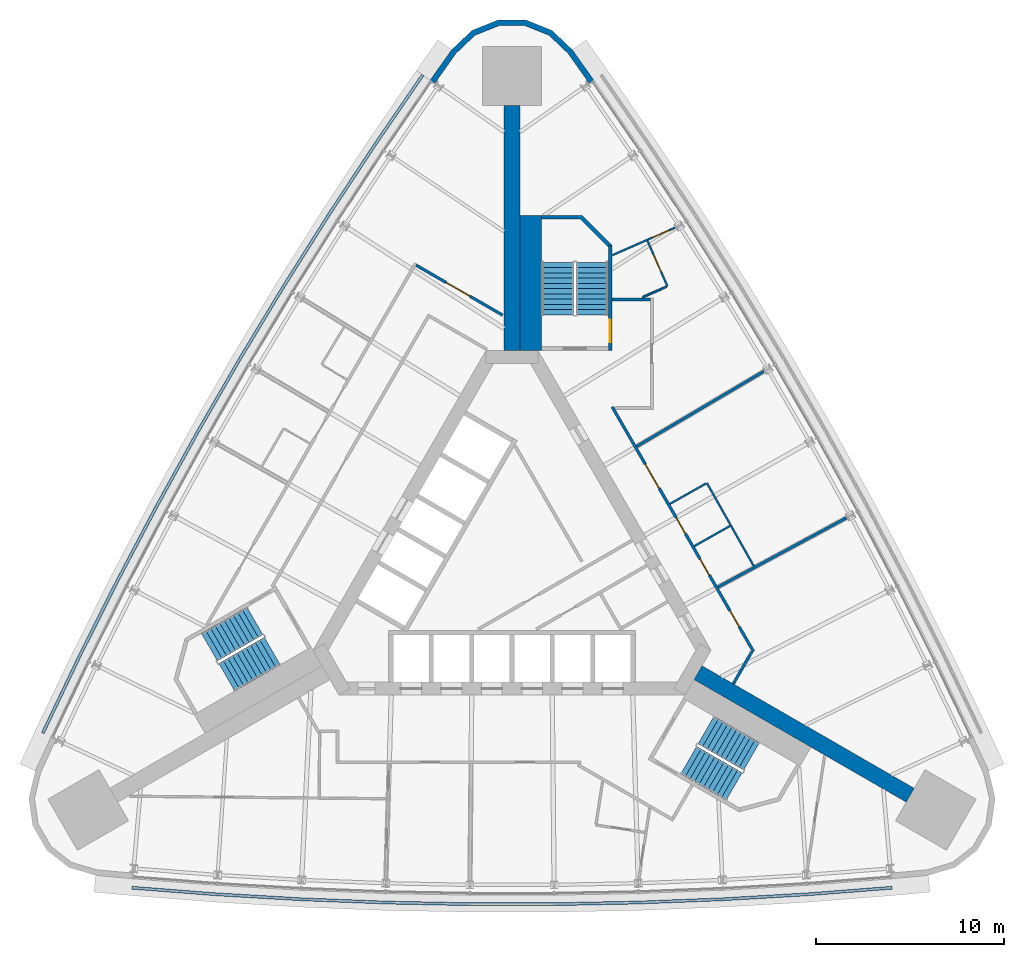
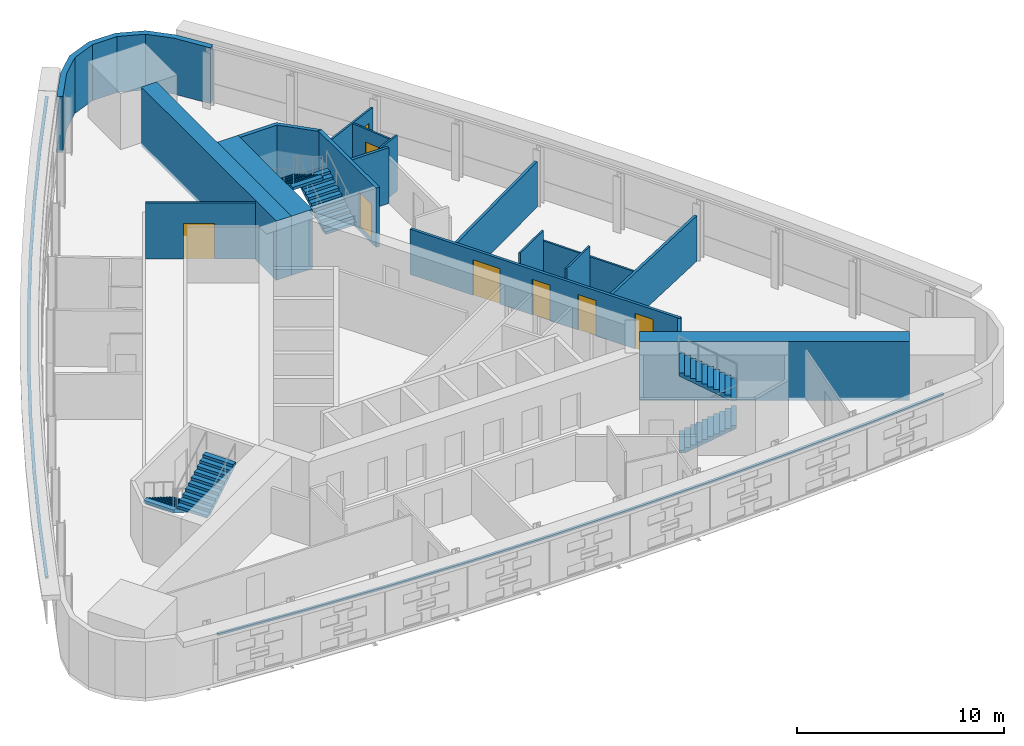
# One storey, part 10 of 13: 18 walls, 8 doors, 6 stair flights, 2 discrete accessories, 8 openings, 3 elements without a shape of their own.
"""IFC4 building model written with IfcOpenShell, lengths in metres."""

import ifcopenshell
import ifcopenshell.guid

model = None  # the IFC model being written
_history = None  # IfcOwnerHistory: only IFC2X3 demands one
_inside = {}  # id of a spatial element -> (the spatial element, [elements in it])
_under = {}  # id of a project, library or spatial element -> (it, [spatial elements below it])
_declared = {}  # id of a project -> (the project, [libraries it declares])
_typed = {}  # id of a type object -> (the type object, [elements of that type])
_made_of = {}  # id of a material, layer set ... -> (it, [elements and type objects made of it])


def new_model(schema):
    """Start an empty IFC model of exactly this schema.

    Asked for "IFC4X3", IfcOpenShell would pick the latest addendum, in which some entities
    have other attributes; the version numbers below select the first issue.
    IFC2X3 requires an IfcOwnerHistory on every rooted entity: one is made here for all.
    """
    global model, _history
    if schema == "IFC4X3":
        model = ifcopenshell.file(schema_version=(4, 3, 0, 0))
    else:
        model = ifcopenshell.file(schema=schema)
    _inside.clear()
    _under.clear()
    _declared.clear()
    _typed.clear()
    _made_of.clear()
    _history = None
    if model.schema == "IFC2X3":
        org = make("IfcOrganization", Name="unknown")
        user = make(
            "IfcPersonAndOrganization",
            ThePerson=make("IfcPerson", FamilyName="unknown"),
            TheOrganization=org,
        )
        app = make(
            "IfcApplication",
            ApplicationDeveloper=org,
            Version="unknown",
            ApplicationFullName="unknown",
            ApplicationIdentifier="unknown",
        )
        _history = make(
            "IfcOwnerHistory",
            OwningUser=user,
            OwningApplication=app,
            ChangeAction="ADDED",
            CreationDate=0,
        )
    return model


def make(cls, **values):
    """One entity of the class cls with the attributes given. An attribute that is None is left unset."""
    return model.create_entity(
        cls, **{name: value for name, value in values.items() if value is not None}
    )


def rooted(cls, **values):
    """An entity with a GlobalId (a new one), such as an element, a storey or a relation."""
    return make(cls, GlobalId=ifcopenshell.guid.new(), OwnerHistory=_history, **values)


def si_unit(unit_type, name, prefix=None):
    """IfcSIUnit, for example si_unit("LENGTHUNIT", "METRE", prefix="MILLI")."""
    return make("IfcSIUnit", UnitType=unit_type, Prefix=prefix, Name=name)


def assignment(units):
    """IfcUnitAssignment: the units of a project."""
    return None if units is None else make("IfcUnitAssignment", Units=units)


def point(xyz):
    """IfcCartesianPoint."""
    return None if xyz is None else make("IfcCartesianPoint", Coordinates=xyz)


def direction(xyz):
    """IfcDirection."""
    return None if xyz is None else make("IfcDirection", DirectionRatios=xyz)


def frame(location, z_axis=None, x_axis=None):
    """IfcAxis2Placement3D, a coordinate frame: its origin and axes. An axis left out is left unset."""
    return make(
        "IfcAxis2Placement3D",
        Location=point(location),
        Axis=direction(z_axis),
        RefDirection=direction(x_axis),
    )


def frame_2d(location, x_axis=None):
    """IfcAxis2Placement2D, a coordinate frame in the plane: its origin and x axis."""
    return make(
        "IfcAxis2Placement2D", Location=point(location), RefDirection=direction(x_axis)
    )


def origin():
    """The frame at (0, 0, 0) with its axes left unset."""
    return frame((0.0, 0.0, 0.0))


def place(relative_to, where):
    """IfcLocalPlacement: puts the frame where relative to a parent placement (None: the world)."""
    return make(
        "IfcLocalPlacement", PlacementRelTo=relative_to, RelativePlacement=where
    )


def context(
    kind, dimensions, precision=None, world=None, true_north=None, identifier=None
):
    """IfcGeometricRepresentationContext, for example the 3D "Model" context."""
    return make(
        "IfcGeometricRepresentationContext",
        ContextIdentifier=identifier,
        ContextType=kind,
        CoordinateSpaceDimension=dimensions,
        Precision=precision,
        WorldCoordinateSystem=world,
        TrueNorth=true_north,
    )


def subcontext(parent, identifier, kind, view, scale=None):
    """IfcGeometricRepresentationSubContext, for example "Body" below "Model"."""
    return make(
        "IfcGeometricRepresentationSubContext",
        ContextIdentifier=identifier,
        ContextType=kind,
        ParentContext=parent,
        TargetScale=scale,
        TargetView=view,
    )


def project(units=None, contexts=None):
    """IfcProject with its units and contexts."""
    return rooted(
        "IfcProject",
        Name="project",
        RepresentationContexts=contexts,
        UnitsInContext=assignment(units),
    )


def spatial(cls, under=None, at=None, **own):
    """A site, building, storey or space (cls), placed at a placement, below another one or the project."""
    s = rooted(cls, ObjectPlacement=at, **own)
    if under is not None:
        _under.setdefault(under.id(), (under, []))[1].append(s)
    return s


def polyline(points):
    """IfcPolyline through the points."""
    return make("IfcPolyline", Points=[point(p) for p in points])


def profile(cls, at=None, kind="AREA", **sizes):
    """A parametric profile (cls). Its sizes go by their IFC names, for example OverallWidth=200.0."""
    return make(cls, ProfileType=kind, Position=at, **sizes)


def rectangle(**sizes):
    """IfcRectangleProfileDef."""
    return profile("IfcRectangleProfileDef", **sizes)


def outline(outer, holes=None, kind="AREA"):
    """IfcArbitraryClosedProfileDef: a profile drawn as a closed curve; with holes, ...WithVoids."""
    if holes is None:
        return make("IfcArbitraryClosedProfileDef", ProfileType=kind, OuterCurve=outer)
    return make(
        "IfcArbitraryProfileDefWithVoids",
        ProfileType=kind,
        OuterCurve=outer,
        InnerCurves=holes,
    )


def extrude(swept, where, along, depth):
    """IfcExtrudedAreaSolid: the profile swept, set in the frame where, extruded along a direction by depth."""
    return make(
        "IfcExtrudedAreaSolid",
        SweptArea=swept,
        Position=where,
        ExtrudedDirection=direction(along),
        Depth=depth,
    )


def shape(context_of_items, identifier, shape_type, items):
    """IfcShapeRepresentation: the items that make up one representation, for example the "Body"."""
    return make(
        "IfcShapeRepresentation",
        ContextOfItems=context_of_items,
        RepresentationIdentifier=identifier,
        RepresentationType=shape_type,
        Items=items,
    )


def material(Name=None, Category=None):
    """IfcMaterial."""
    return make("IfcMaterial", Name=Name, Category=Category)


def layer(
    of_material, thickness, ventilated=None, Name=None, Category=None, Priority=None
):
    """IfcMaterialLayer: one layer of a wall or slab, of a material (None: an air gap)."""
    return make(
        "IfcMaterialLayer",
        Material=of_material,
        LayerThickness=thickness,
        IsVentilated=ventilated,
        Name=Name,
        Category=Category,
        Priority=Priority,
    )


def layer_set(layers, Name=None):
    """IfcMaterialLayerSet."""
    return make("IfcMaterialLayerSet", MaterialLayers=layers, LayerSetName=Name)


def made_of(thing, what):
    """Note that an element or type object is made of a material, layer set ...; save() writes the relation."""
    if what is not None:
        _made_of.setdefault(what.id(), (what, []))[1].append(thing)
    return thing


def type_object(cls, material=None, **own):
    """A type object (cls), such as IfcWallType, which elements share."""
    return made_of(rooted(cls, **own), material)


def element(
    cls,
    number,
    at=None,
    inside=None,
    cuts=None,
    type_object=None,
    material=None,
    context=None,
    identifier="Body",
    shape_type=None,
    held_by="IfcProductDefinitionShape",
    body=None,
    shapes=None,
    **own,
):
    """One element of the class cls, such as IfcWall. Its Tag is "e" and its number.

    at: its placement. inside: the storey or other place that contains it. cuts: it is an
    opening in that element (IfcRelVoidsElement). A single representation is given by context,
    identifier, shape_type and body (its items); several are given by shapes. held_by: the class
    of the entity that holds the representations. save() writes the other relations.
    """
    e = rooted(cls, Tag="e%d" % number, ObjectPlacement=at, **own)
    if body is not None:
        shapes = [shape(context, identifier, shape_type, body)]
    if shapes is not None:
        e.Representation = make(held_by, Representations=shapes)
    if inside is not None:
        _inside.setdefault(inside.id(), (inside, []))[1].append(e)
    if cuts is not None:
        rooted(
            "IfcRelVoidsElement", RelatingBuildingElement=cuts, RelatedOpeningElement=e
        )
    if type_object is not None:
        _typed.setdefault(type_object.id(), (type_object, []))[1].append(e)
    return made_of(e, material)


def fill(opening, filler):
    """IfcRelFillsElement: the door or window that sits in an opening."""
    return rooted(
        "IfcRelFillsElement",
        RelatingOpeningElement=opening,
        RelatedBuildingElement=filler,
    )


def aggregate(whole, parts):
    """IfcRelAggregates: a whole, such as a stair, and the parts it consists of."""
    return rooted("IfcRelAggregates", RelatingObject=whole, RelatedObjects=parts)


def save(model, path):
    """Write the relations noted so far, then the file.

    IfcRelAggregates (storeys below a building ...), IfcRelContainedInSpatialStructure (elements
    in a storey), IfcRelDefinesByType, IfcRelAssociatesMaterial and IfcRelDeclares: one each for
    every whole, place, type object, material and project.
    """
    for whole, parts in _under.values():
        aggregate(whole, parts)
    for where, things in _inside.values():
        rooted(
            "IfcRelContainedInSpatialStructure",
            RelatedElements=things,
            RelatingStructure=where,
        )
    for kind, things in _typed.values():
        rooted("IfcRelDefinesByType", RelatedObjects=things, RelatingType=kind)
    for what, things in _made_of.values():
        rooted("IfcRelAssociatesMaterial", RelatedObjects=things, RelatingMaterial=what)
    for by, libraries in _declared.values():
        rooted("IfcRelDeclares", RelatingContext=by, RelatedDefinitions=libraries)
    model.write(path)


model = new_model("IFC4")

# Units and contexts
model_context = context("Model", 3, precision=1e-05, world=origin(), true_north=direction((0.0, 1.0)))
body_context = subcontext(model_context, "Body", "Model", "MODEL_VIEW")
ifc_project = project(units=[si_unit("LENGTHUNIT", "METRE"), si_unit("AREAUNIT", "SQUARE_METRE"), si_unit("VOLUMEUNIT", "CUBIC_METRE"), si_unit("PLANEANGLEUNIT", "RADIAN"), si_unit("MASSUNIT", "GRAM", prefix="KILO")], contexts=[model_context])

# Site, building, storey
site_placement = place(None, origin())
site = spatial("IfcSite", under=ifc_project, at=site_placement, CompositionType="ELEMENT")
building_placement = place(site_placement, origin())
building = spatial("IfcBuilding", under=site, at=building_placement, Name="Noor Cloister Tower", CompositionType="ELEMENT")
storey_placement = place(building_placement, frame((0.0, 0.0, 83.39990234375)))
storey = spatial("IfcBuildingStorey", under=building, at=storey_placement, Name="L21", CompositionType="ELEMENT", Elevation=83.39990234375)

# Walls
ifc_material_1 = material(Name="Concrete C80/95", Category="concrete")
ifc_layer_1 = layer(ifc_material_1, 0.85009765625)
ifc_layer_set_1 = layer_set([ifc_layer_1], Name="Buttress wall 850 C80/95")
wall_type_1 = type_object("IfcWallType", Name="Buttress wall 850 C80/95", PredefinedType="SHEAR", material=ifc_layer_set_1)
wall_1_placement = place(storey_placement, frame((0.0, 11.456298828125, -0.199951171875), z_axis=(0.0, 0.0, 1.0), x_axis=(0.0, 1.0, 0.0)))
element("IfcWall", 1, at=wall_1_placement, inside=storey, type_object=wall_type_1, Name="Buttress wall N L21", PredefinedType="SHEAR", context=body_context, shape_type="SweptSolid", body=[
    extrude(rectangle(XDim=13.064697265625, YDim=0.85009765625, at=frame_2d((6.5322265625, 0.0))), origin(), (0.0, 0.0, 1.0), 3.5),
])
wall_2_placement = place(storey_placement, frame((9.921630859375, -5.728271484375, -0.199951171875), z_axis=(0.0, 0.0, 1.0), x_axis=(0.866026565165, -0.499997988424, 0.0)))
element("IfcWall", 2, at=wall_2_placement, inside=storey, type_object=wall_type_1, Name="Buttress wall SE L21", PredefinedType="SHEAR", context=body_context, shape_type="SweptSolid", body=[
    extrude(rectangle(XDim=13.064453125, YDim=0.85009765625, at=frame_2d((6.5322265625, 0.0))), origin(), (0.0, 0.0, 1.0), 3.5),
])

# Wall, openings, doors
ifc_material_2 = material(Name="Gypsum board partition on steel studs, 150 mm", Category="steel")
ifc_layer_2 = layer(ifc_material_2, 0.14990234375)
ifc_layer_set_2 = layer_set([ifc_layer_2], Name="Flat wall 150")
wall_type_2 = type_object("IfcWallType", Name="Flat wall 150", PredefinedType="PARTITIONING", material=ifc_layer_set_2)
wall_3_placement = place(storey_placement, frame((5.34619140625, 8.4462890625, 0.0), z_axis=(0.0, 0.0, 1.0), x_axis=(0.500008781656, -0.866020333634, 0.0)))
wall_3 = element("IfcWall", 3, at=wall_3_placement, inside=storey, type_object=wall_type_2, Name="Flat wall 150 L21 003", PredefinedType="PARTITIONING", context=body_context, shape_type="SweptSolid", body=[
    extrude(rectangle(XDim=15.056884765625, YDim=0.14990234375, at=frame_2d((7.5283203125, 0.0))), origin(), (0.0, 0.0, 1.0), 2.677978515625),
])
opening_1_placement = place(wall_3_placement, frame((12.551513671875, 0.0, 0.0)))
opening_1 = element("IfcOpeningElement", 4, at=opening_1_placement, cuts=wall_3, Name="Opening L21-005", PredefinedType="OPENING", context=body_context, shape_type="SweptSolid", body=[
    extrude(rectangle(XDim=1.0, YDim=2.10009765625, at=frame_2d((0.5, 1.050048828125))), frame((0.0, 0.0849609375, 0.0), z_axis=(0.0, -1.0, 0.0), x_axis=(1.0, 0.0, 0.0)), (0.0, 0.0, 1.0), 0.169921875),
])
opening_2_placement = place(wall_3_placement, frame((9.365478515625, 0.0, 0.0)))
opening_2 = element("IfcOpeningElement", 5, at=opening_2_placement, cuts=wall_3, Name="Opening L21-006", PredefinedType="OPENING", context=body_context, shape_type="SweptSolid", body=[
    extrude(rectangle(XDim=1.0, YDim=2.10009765625, at=frame_2d((0.5, 1.050048828125))), frame((0.0, 0.0849609375, 0.0), z_axis=(0.0, -1.0, 0.0), x_axis=(1.0, 0.0, 0.0)), (0.0, 0.0, 1.0), 0.169921875),
])
opening_3_placement = place(wall_3_placement, frame((6.81640625, 0.0, 0.0)))
opening_3 = element("IfcOpeningElement", 6, at=opening_3_placement, cuts=wall_3, Name="Opening L21-007", PredefinedType="OPENING", context=body_context, shape_type="SweptSolid", body=[
    extrude(rectangle(XDim=1.0, YDim=2.10009765625, at=frame_2d((0.5, 1.050048828125))), frame((0.0, 0.0849609375, 0.0), z_axis=(0.0, -1.0, 0.0), x_axis=(1.0, 0.0, 0.0)), (0.0, 0.0, 1.0), 0.169921875),
])
opening_4_placement = place(wall_3_placement, frame((3.5087890625, 0.0, 0.0)))
opening_4 = element("IfcOpeningElement", 7, at=opening_4_placement, cuts=wall_3, Name="Opening L21-008", PredefinedType="OPENING", context=body_context, shape_type="SweptSolid", body=[
    extrude(rectangle(XDim=1.5, YDim=2.10009765625, at=frame_2d((0.75, 1.050048828125))), frame((0.0, 0.0849609375, 0.0), z_axis=(0.0, -1.0, 0.0), x_axis=(1.0, 0.0, 0.0)), (0.0, 0.0, 1.0), 0.169921875),
])
ifc_material_3 = material(Name="Timber door leaf with steel frame", Category="steel")
door_type_1 = type_object("IfcDoorType", Name="Accessible WC door 1000", OperationType="NOTDEFINED", PredefinedType="DOOR", material=ifc_material_3)
door_1_placement = place(opening_2_placement, origin())
door_1 = element("IfcDoor", 8, at=door_1_placement, inside=storey, type_object=door_type_1, Name="Accessible WC door 1000 L21-006", OperationType="SINGLE_SWING_RIGHT", OverallHeight=2.10009765625, OverallWidth=1.0, PredefinedType="DOOR", context=body_context, shape_type="SweptSolid", body=[
    extrude(rectangle(XDim=1.0, YDim=2.10009765625, at=frame_2d((0.5, 1.050048828125))), frame((0.0, 0.02490234375, 0.0), z_axis=(0.0, -1.0, 0.0), x_axis=(1.0, 0.0, 0.0)), (0.0, 0.0, 1.0), 0.050048828125),
])
fill(opening_2, door_1)
ifc_material_4 = material(Name="Timber door leaf with steel frame", Category="steel")
door_type_2 = type_object("IfcDoorType", Name="Double door 1500 FD60", OperationType="NOTDEFINED", PredefinedType="DOOR", material=ifc_material_4)
door_2_placement = place(opening_4_placement, origin())
door_2 = element("IfcDoor", 9, at=door_2_placement, inside=storey, type_object=door_type_2, Name="Double door 1500 L21-008", OperationType="DOUBLE_DOOR_SINGLE_SWING", OverallHeight=2.10009765625, OverallWidth=1.5, PredefinedType="DOOR", context=body_context, shape_type="SweptSolid", body=[
    extrude(rectangle(XDim=1.5, YDim=2.10009765625, at=frame_2d((0.75, 1.050048828125))), frame((0.0, 0.02490234375, 0.0), z_axis=(0.0, -1.0, 0.0), x_axis=(1.0, 0.0, 0.0)), (0.0, 0.0, 1.0), 0.050048828125),
])
fill(opening_4, door_2)
ifc_material_5 = material(Name="Timber door leaf with steel frame", Category="steel")
door_type_3 = type_object("IfcDoorType", Name="Interior door 1000 FD60", OperationType="NOTDEFINED", PredefinedType="DOOR", material=ifc_material_5)
door_3_placement = place(opening_1_placement, origin())
door_3 = element("IfcDoor", 10, at=door_3_placement, inside=storey, type_object=door_type_3, Name="Interior door 1000 L21-005", OperationType="SINGLE_SWING_RIGHT", OverallHeight=2.10009765625, OverallWidth=1.0, PredefinedType="DOOR", context=body_context, shape_type="SweptSolid", body=[
    extrude(rectangle(XDim=1.0, YDim=2.10009765625, at=frame_2d((0.5, 1.050048828125))), frame((0.0, 0.02490234375, 0.0), z_axis=(0.0, -1.0, 0.0), x_axis=(1.0, 0.0, 0.0)), (0.0, 0.0, 1.0), 0.050048828125),
])
fill(opening_1, door_3)
door_4_placement = place(opening_3_placement, origin())
door_4 = element("IfcDoor", 11, at=door_4_placement, inside=storey, type_object=door_type_3, Name="Interior door 1000 L21-007", OperationType="SINGLE_SWING_LEFT", OverallHeight=2.10009765625, OverallWidth=1.0, PredefinedType="DOOR", context=body_context, shape_type="SweptSolid", body=[
    extrude(rectangle(XDim=1.0, YDim=2.10009765625, at=frame_2d((0.5, 1.050048828125))), frame((0.0, 0.02490234375, 0.0), z_axis=(0.0, -1.0, 0.0), x_axis=(1.0, 0.0, 0.0)), (0.0, 0.0, 1.0), 0.050048828125),
])
fill(opening_3, door_4)

# Wall, opening, door
wall_4_placement = place(storey_placement, frame((-5.111328125, 16.00341796875, 0.0), z_axis=(0.0, 0.0, 1.0), x_axis=(0.866034245675, -0.499984685083, 0.0)))
wall_4 = element("IfcWall", 12, at=wall_4_placement, inside=storey, type_object=wall_type_2, Name="Flat wall 150 L21 007", PredefinedType="PARTITIONING", context=body_context, shape_type="SweptSolid", body=[
    extrude(rectangle(XDim=5.319091796875, YDim=0.14990234375, at=frame_2d((2.65966796875, 0.0))), origin(), (0.0, 0.0, 1.0), 3.300048828125),
])
opening_5_placement = place(wall_4_placement, frame((1.83447265625, 0.0, 0.0)))
opening_5 = element("IfcOpeningElement", 13, at=opening_5_placement, cuts=wall_4, Name="Opening L21-012", PredefinedType="OPENING", context=body_context, shape_type="SweptSolid", body=[
    extrude(rectangle(XDim=1.5, YDim=2.10009765625, at=frame_2d((0.75, 1.050048828125))), frame((0.0, 0.0849609375, 0.0), z_axis=(0.0, -1.0, 0.0), x_axis=(1.0, 0.0, 0.0)), (0.0, 0.0, 1.0), 0.169921875),
])
door_5_placement = place(opening_5_placement, origin())
door_5 = element("IfcDoor", 14, at=door_5_placement, inside=storey, type_object=door_type_2, Name="Double door 1500 L21-012", OperationType="DOUBLE_DOOR_SINGLE_SWING", OverallHeight=2.10009765625, OverallWidth=1.5, PredefinedType="DOOR", context=body_context, shape_type="SweptSolid", body=[
    extrude(rectangle(XDim=1.5, YDim=2.10009765625, at=frame_2d((0.75, 1.050048828125))), frame((0.0, 0.02490234375, 0.0), z_axis=(0.0, -1.0, 0.0), x_axis=(1.0, 0.0, 0.0)), (0.0, 0.0, 1.0), 0.050048828125),
])
fill(opening_5, door_5)

# Walls
wall_5_placement = place(storey_placement, frame((5.335693359375, 14.181396484375, 0.0), z_axis=(0.0, 0.0, 1.0), x_axis=(1.0, 0.0, 0.0)))
element("IfcWall", 15, at=wall_5_placement, inside=storey, type_object=wall_type_2, Name="Flat wall 150 L21 009", PredefinedType="PARTITIONING", context=body_context, shape_type="SweptSolid", body=[
    extrude(rectangle(XDim=2.0498046875, YDim=0.14990234375, at=frame_2d((1.02490234375, 0.0))), origin(), (0.0, 0.0, 1.0), 3.300048828125),
])
wall_6_placement = place(storey_placement, frame((11.801025390625, -6.322509765625, 0.0), z_axis=(0.0, 0.0, 1.0), x_axis=(0.500058665202, 0.865991530765, 0.0)))
element("IfcWall", 16, at=wall_6_placement, inside=storey, type_object=wall_type_2, Name="Flat wall 150 L21 011", PredefinedType="PARTITIONING", context=body_context, shape_type="SweptSolid", body=[
    extrude(rectangle(XDim=1.969482421875, YDim=0.14990234375, at=frame_2d((0.98486328125, 0.0))), origin(), (0.0, 0.0, 1.0), 2.677978515625),
])
wall_7_placement = place(storey_placement, frame((13.421142578125, 10.337646484375, 0.0), z_axis=(0.0, 0.0, 1.0), x_axis=(-0.861114991514, -0.508410239266, 0.0)))
element("IfcWall", 17, at=wall_7_placement, inside=storey, type_object=wall_type_2, Name="Flat wall 150 L21 016", PredefinedType="PARTITIONING", context=body_context, shape_type="SweptSolid", body=[
    extrude(rectangle(XDim=7.86328125, YDim=0.14990234375, at=frame_2d((3.931640625, 0.0))), origin(), (0.0, 0.0, 1.0), 2.677978515625),
])
wall_8_placement = place(storey_placement, frame((17.829345703125, 2.527587890625, 0.0), z_axis=(0.0, 0.0, 1.0), x_axis=(-0.880268417521, -0.474476040612, 0.0)))
element("IfcWall", 18, at=wall_8_placement, inside=storey, type_object=wall_type_2, Name="Flat wall 150 L21 017", PredefinedType="PARTITIONING", context=body_context, shape_type="SweptSolid", body=[
    extrude(rectangle(XDim=7.77734375, YDim=0.14990234375, at=frame_2d((3.888671875, 0.0))), origin(), (0.0, 0.0, 1.0), 2.677978515625),
])
ifc_material_6 = material(Name="Limestone", Category="masonry")
ifc_layer_3 = layer(ifc_material_6, 0.300048828125)
ifc_layer_set_3 = layer_set([ifc_layer_3], Name="Limestone cladding 300")
wall_type_3 = type_object("IfcWallType", Name="Limestone cladding 300", PredefinedType="NOTDEFINED", material=ifc_layer_set_3)
wall_9_placement = place(storey_placement, origin())
element("IfcWall", 19, at=wall_9_placement, inside=storey, type_object=wall_type_3, Name="Limestone pier cladding L21 3.1", PredefinedType="NOTDEFINED", context=body_context, shape_type="SweptSolid", body=[
    extrude(outline(polyline([(4.3642578125, 25.87255859375), (3.216796875, 27.4951171875), (2.134521484375, 28.525390625), (0.7470703125, 29.080078125), (-0.7470703125, 29.080078125), (-2.134521484375, 28.525390625), (-3.216796875, 27.4951171875), (-4.3642578125, 25.87255859375), (-4.119384765625, 25.69921875), (-2.98876953125, 27.2978515625), (-1.969482421875, 28.26806640625), (-0.689453125, 28.780029296875), (0.689453125, 28.780029296875), (1.969482421875, 28.26806640625), (2.98876953125, 27.2978515625), (4.119384765625, 25.69921875), (4.3642578125, 25.87255859375)])), origin(), (0.0, 0.0, 1.0), 3.300048828125),
])
ifc_material_7 = material(Name="Gypsum board partition on steel studs, 100 mm", Category="steel")
ifc_layer_4 = layer(ifc_material_7, 0.10009765625)
ifc_layer_set_4 = layer_set([ifc_layer_4], Name="Partition 100")
wall_type_4 = type_object("IfcWallType", Name="Partition 100", PredefinedType="PARTITIONING", material=ifc_layer_set_4)
wall_10_placement = place(storey_placement, frame((12.895263671875, -0.045654296875, 0.0), z_axis=(0.0, 0.0, 1.0), x_axis=(-0.491519870282, 0.870866360079, 0.0)))
element("IfcWall", 20, at=wall_10_placement, inside=storey, type_object=wall_type_4, Name="Partition 100 L21 025", PredefinedType="PARTITIONING", context=body_context, shape_type="SweptSolid", body=[
    extrude(rectangle(XDim=5.0908203125, YDim=0.10009765625, at=frame_2d((2.54541015625, 0.0))), origin(), (0.0, 0.0, 1.0), 2.677978515625),
])

# Wall, opening, door
wall_11_placement = place(storey_placement, frame((5.355712890625, 16.540283203125, 0.0), z_axis=(0.0, 0.0, 1.0), x_axis=(0.915687364234, 0.401891342258, 0.0)))
wall_11 = element("IfcWall", 21, at=wall_11_placement, inside=storey, type_object=wall_type_4, Name="Partition 100 L21 027", PredefinedType="PARTITIONING", context=body_context, shape_type="SweptSolid", body=[
    extrude(rectangle(XDim=3.64111328125, YDim=0.10009765625, at=frame_2d((1.820556640625, 0.0))), origin(), (0.0, 0.0, 1.0), 2.8740234375),
])
opening_6_placement = place(wall_11_placement, frame((2.323974609375, 0.0, 0.0)))
opening_6 = element("IfcOpeningElement", 22, at=opening_6_placement, cuts=wall_11, Name="Opening L21-018", PredefinedType="OPENING", context=body_context, shape_type="SweptSolid", body=[
    extrude(rectangle(XDim=1.0, YDim=2.10009765625, at=frame_2d((0.5, 1.050048828125))), frame((0.0, 0.06005859375, 0.0), z_axis=(0.0, -1.0, 0.0), x_axis=(1.0, 0.0, 0.0)), (0.0, 0.0, 1.0), 0.1201171875),
])
ifc_material_8 = material(Name="Timber door leaf with steel frame", Category="steel")
door_type_4 = type_object("IfcDoorType", Name="Interior door 1000", OperationType="NOTDEFINED", PredefinedType="DOOR", material=ifc_material_8)
door_6_placement = place(opening_6_placement, origin())
door_6 = element("IfcDoor", 23, at=door_6_placement, inside=storey, type_object=door_type_4, Name="Interior door 1000 L21-018", OperationType="SINGLE_SWING_RIGHT", OverallHeight=2.10009765625, OverallWidth=1.0, PredefinedType="DOOR", context=body_context, shape_type="SweptSolid", body=[
    extrude(rectangle(XDim=1.0, YDim=2.10009765625, at=frame_2d((0.5, 1.050048828125))), frame((0.0, 0.02490234375, 0.0), z_axis=(0.0, -1.0, 0.0), x_axis=(1.0, 0.0, 0.0)), (0.0, 0.0, 1.0), 0.050048828125),
])
fill(opening_6, door_6)

wall_12_placement = place(storey_placement, frame((8.289794921875, 14.87939453125, 0.0), z_axis=(0.0, 0.0, 1.0), x_axis=(-0.401954267375, 0.915659744085, 0.0)))
wall_12 = element("IfcWall", 24, at=wall_12_placement, inside=storey, type_object=wall_type_4, Name="Partition 100 L21 030", PredefinedType="PARTITIONING", context=body_context, shape_type="SweptSolid", body=[
    extrude(rectangle(XDim=2.64990234375, YDim=0.10009765625, at=frame_2d((1.324951171875, 0.0))), origin(), (0.0, 0.0, 1.0), 2.8740234375),
])
opening_7_placement = place(wall_12_placement, frame((0.85009765625, 0.0, 0.0)))
opening_7 = element("IfcOpeningElement", 25, at=opening_7_placement, cuts=wall_12, Name="Opening L21-020", PredefinedType="OPENING", context=body_context, shape_type="SweptSolid", body=[
    extrude(rectangle(XDim=1.0, YDim=2.10009765625, at=frame_2d((0.5, 1.050048828125))), frame((0.0, 0.06005859375, 0.0), z_axis=(0.0, -1.0, 0.0), x_axis=(1.0, 0.0, 0.0)), (0.0, 0.0, 1.0), 0.1201171875),
])
door_7_placement = place(opening_7_placement, origin())
door_7 = element("IfcDoor", 26, at=door_7_placement, inside=storey, type_object=door_type_4, Name="Interior door 1000 L21-020", OperationType="SINGLE_SWING_RIGHT", OverallHeight=2.10009765625, OverallWidth=1.0, PredefinedType="DOOR", context=body_context, shape_type="SweptSolid", body=[
    extrude(rectangle(XDim=1.0, YDim=2.10009765625, at=frame_2d((0.5, 1.050048828125))), frame((0.0, 0.02490234375, 0.0), z_axis=(0.0, -1.0, 0.0), x_axis=(1.0, 0.0, 0.0)), (0.0, 0.0, 1.0), 0.050048828125),
])
fill(opening_7, door_7)

# Walls
wall_13_placement = place(storey_placement, frame((10.349365234375, 4.363037109375, 0.0), z_axis=(0.0, 0.0, 1.0), x_axis=(-0.870794636378, -0.491646927435, 0.0)))
element("IfcWall", 27, at=wall_13_placement, inside=storey, type_object=wall_type_4, Name="Partition 100 L21 034", PredefinedType="PARTITIONING", context=body_context, shape_type="SweptSolid", body=[
    extrude(rectangle(XDim=2.2158203125, YDim=0.10009765625, at=frame_2d((1.10791015625, 0.0))), origin(), (0.0, 0.0, 1.0), 3.300048828125),
])
wall_14_placement = place(storey_placement, frame((11.62744140625, 2.098876953125, 0.0), z_axis=(0.0, 0.0, 1.0), x_axis=(-0.870851244214, -0.491546651348, 0.0)))
element("IfcWall", 28, at=wall_14_placement, inside=storey, type_object=wall_type_4, Name="Partition 100 L21 035", PredefinedType="PARTITIONING", context=body_context, shape_type="SweptSolid", body=[
    extrude(rectangle(XDim=2.1904296875, YDim=0.10009765625, at=frame_2d((1.09521484375, 0.0))), origin(), (0.0, 0.0, 1.0), 3.300048828125),
])
wall_15_placement = place(storey_placement, frame((6.974609375, 14.30224609375, 0.0), z_axis=(0.0, 0.0, 1.0), x_axis=(0.915740462341, 0.401770339412, 0.0)))
element("IfcWall", 29, at=wall_15_placement, inside=storey, type_object=wall_type_4, Name="Partition 100 L21 038", PredefinedType="PARTITIONING", context=body_context, shape_type="SweptSolid", body=[
    extrude(rectangle(XDim=1.385986328125, YDim=0.10009765625, at=frame_2d((0.69287109375, 0.0))), origin(), (0.0, 0.0, 1.0), 3.300048828125),
])
ifc_material_9 = material(Name="Concrete C80/95", Category="concrete")
ifc_layer_5 = layer(ifc_material_9, 1.160888671875)
ifc_layer_set_5 = layer_set([ifc_layer_5], Name="Stair enclosure wall 1161 C80/95")
wall_type_5 = type_object("IfcWallType", Name="Stair enclosure wall 1161 C80/95", PredefinedType="SHEAR", material=ifc_layer_set_5)
wall_16_placement = place(storey_placement, frame((1.00537109375, 11.456298828125, -0.199951171875), z_axis=(0.0, 0.0, 1.0), x_axis=(0.0, 1.0, 0.0)))
element("IfcWall", 30, at=wall_16_placement, inside=storey, type_object=wall_type_5, Name="Stair enclosure wall ST1 L21 riser side", PredefinedType="SHEAR", context=body_context, shape_type="SweptSolid", body=[
    extrude(rectangle(XDim=7.2001953125, YDim=1.16064453125, at=frame_2d((3.60009765625, 0.0))), origin(), (0.0, 0.0, 1.0), 3.5),
])

# Wall, opening, door
ifc_material_10 = material(Name="Concrete C80/95", Category="concrete")
ifc_layer_6 = layer(ifc_material_10, 0.199951171875)
ifc_layer_set_6 = layer_set([ifc_layer_6], Name="Stair enclosure wall 200 C80/95")
wall_type_6 = type_object("IfcWallType", Name="Stair enclosure wall 200 C80/95", PredefinedType="SHEAR", material=ifc_layer_set_6)
wall_17_placement = place(storey_placement, frame((5.235595703125, 11.456298828125, -0.199951171875), z_axis=(0.0, 0.0, 1.0), x_axis=(0.0, 1.0, 0.0)))
wall_17 = element("IfcWall", 31, at=wall_17_placement, inside=storey, type_object=wall_type_6, Name="Stair enclosure wall ST1 L21 outer side", PredefinedType="SHEAR", context=body_context, shape_type="SweptSolid", body=[
    extrude(rectangle(XDim=5.60009765625, YDim=0.199951171875, at=frame_2d((2.800048828125, 0.0))), origin(), (0.0, 0.0, 1.0), 3.5),
])
opening_8_placement = place(wall_17_placement, frame((0.449951171875, 0.0, 0.199951171875)))
opening_8 = element("IfcOpeningElement", 32, at=opening_8_placement, cuts=wall_17, Name="Opening L21-ST1C", PredefinedType="OPENING", context=body_context, shape_type="SweptSolid", body=[
    extrude(rectangle(XDim=1.199951171875, YDim=2.10009765625, at=frame_2d((0.60009765625, 1.050048828125))), frame((0.0, 0.10986328125, 0.0), z_axis=(0.0, -1.0, 0.0), x_axis=(1.0, 0.0, 0.0)), (0.0, 0.0, 1.0), 0.219970703125),
])
ifc_material_11 = material(Name="Steel", Category="steel")
door_type_5 = type_object("IfcDoorType", Name="Stair door 1200 x 2100 FD120", OperationType="SINGLE_SWING_LEFT", PredefinedType="DOOR", material=ifc_material_11)
door_8_placement = place(opening_8_placement, origin())
door_8 = element("IfcDoor", 33, at=door_8_placement, inside=storey, type_object=door_type_5, Name="Stair door ST1 L21", OperationType="SINGLE_SWING_LEFT", OverallHeight=2.10009765625, OverallWidth=1.199951171875, PredefinedType="DOOR", context=body_context, shape_type="SweptSolid", body=[
    extrude(rectangle(XDim=1.199951171875, YDim=2.10009765625, at=frame_2d((0.60009765625, 1.050048828125))), frame((0.0, 0.02490234375, 0.0), z_axis=(0.0, -1.0, 0.0), x_axis=(1.0, 0.0, 0.0)), (0.0, 0.0, 1.0), 0.050048828125),
])
fill(opening_8, door_8)

# Wall
ifc_material_12 = material(Name="Concrete C80/95", Category="concrete")
wall_type_7 = type_object("IfcWallType", Name="Stair far end wall C80/95", PredefinedType="SHEAR", material=ifc_material_12)
wall_18_placement = place(storey_placement, frame((0.0, 0.0, -0.199951171875)))
element("IfcWall", 34, at=wall_18_placement, inside=storey, type_object=wall_type_7, Name="Stair enclosure wall ST1 L21 far end", PredefinedType="SHEAR", context=body_context, shape_type="SweptSolid", body=[
    extrude(outline(polyline([(5.335693359375, 17.056396484375), (3.735595703125, 18.656494140625), (1.585693359375, 18.656494140625), (1.585693359375, 18.456298828125), (3.65283203125, 18.456298828125), (5.135498046875, 16.9736328125), (5.135498046875, 17.056396484375), (5.135498046875, 17.056396484375), (5.135498046875, 17.056396484375), (5.135498046875, 17.056396484375), (5.135498046875, 17.056396484375), (5.135498046875, 17.056396484375), (5.135498046875, 17.056396484375), (5.135498046875, 17.056396484375), (5.135498046875, 17.056396484375), (5.135498046875, 17.056396484375), (5.135498046875, 17.056396484375), (5.135498046875, 17.056396484375), (5.135498046875, 17.056396484375), (5.135498046875, 17.056396484375), (5.135498046875, 17.056396484375), (5.135498046875, 17.056396484375), (5.135498046875, 17.056396484375), (5.335693359375, 17.056396484375)])), origin(), (0.0, 0.0, 1.0), 3.5),
])

# Stair, stair flights
ifc_material_13 = material(Name="Concrete C40/50", Category="concrete")
stair_type = type_object("IfcStairType", Name="Exit stair 22 risers", PredefinedType="HALF_TURN_STAIR", material=ifc_material_13)
stair_1_placement = place(storey_placement, origin())
stair_1 = element("IfcStair", 35, at=stair_1_placement, inside=storey, type_object=stair_type, Name="Exit stair ST1 L21", PredefinedType="HALF_TURN_STAIR")
ifc_material_14 = material(Name="Concrete C40/50", Category="concrete")
stair_flight_type = type_object("IfcStairFlightType", Name="Exit stair flight", PredefinedType="STRAIGHT", material=ifc_material_14)
stair_flight_1_placement = place(storey_placement, frame((4.28564453125, 13.3564453125, 0.0), z_axis=(0.0, 0.0, 1.0), x_axis=(0.0, 1.0, 0.0)))
stair_flight_1 = element("IfcStairFlight", 36, at=stair_flight_1_placement, type_object=stair_flight_type, Name="ST1 flight 1", NumberOfRisers=11, NumberOfTreads=10, PredefinedType="STRAIGHT", RiserHeight=0.163636364, TreadLength=0.28, context=body_context, shape_type="SweptSolid", body=[
    extrude(outline(polyline([(0.0, 0.0), (0.0, 0.16357421875), (0.280029296875, 0.16357421875), (0.280029296875, 0.327392578125), (0.56005859375, 0.327392578125), (0.56005859375, 0.490966796875), (0.840087890625, 0.490966796875), (0.840087890625, 0.654541015625), (1.1201171875, 0.654541015625), (1.1201171875, 0.818115234375), (1.39990234375, 0.818115234375), (1.39990234375, 0.98193359375), (1.679931640625, 0.98193359375), (1.679931640625, 1.1455078125), (1.9599609375, 1.1455078125), (1.9599609375, 1.30908203125), (2.239990234375, 1.30908203125), (2.239990234375, 1.47265625), (2.52001953125, 1.47265625), (2.52001953125, 1.636474609375), (2.800048828125, 1.636474609375), (2.800048828125, 1.800048828125), (2.800048828125, 1.462646484375), (0.297119140625, 0.0), (0.0, 0.0)])), frame((0.0, 0.85009765625, 0.0), z_axis=(0.0, -1.0, 0.0), x_axis=(1.0, 0.0, 0.0)), (0.0, 0.0, 1.0), 1.699951171875),
])
stair_flight_2_placement = place(storey_placement, frame((2.435546875, 16.156494140625, 1.800048828125), z_axis=(0.0, 0.0, 1.0), x_axis=(0.0, -1.0, 0.0)))
stair_flight_2 = element("IfcStairFlight", 37, at=stair_flight_2_placement, type_object=stair_flight_type, Name="ST1 flight 2", NumberOfRisers=11, NumberOfTreads=10, PredefinedType="STRAIGHT", RiserHeight=0.163636364, TreadLength=0.28, context=body_context, shape_type="SweptSolid", body=[
    extrude(outline(polyline([(0.0, 0.0), (0.0, 0.16357421875), (0.280029296875, 0.16357421875), (0.280029296875, 0.327392578125), (0.56005859375, 0.327392578125), (0.56005859375, 0.490966796875), (0.840087890625, 0.490966796875), (0.840087890625, 0.654541015625), (1.1201171875, 0.654541015625), (1.1201171875, 0.818115234375), (1.39990234375, 0.818115234375), (1.39990234375, 0.98193359375), (1.679931640625, 0.98193359375), (1.679931640625, 1.1455078125), (1.9599609375, 1.1455078125), (1.9599609375, 1.30908203125), (2.239990234375, 1.30908203125), (2.239990234375, 1.47265625), (2.52001953125, 1.47265625), (2.52001953125, 1.636474609375), (2.800048828125, 1.636474609375), (2.800048828125, 1.800048828125), (2.800048828125, 1.462646484375), (0.297119140625, 0.0), (0.0, 0.0)])), frame((0.0, 0.85009765625, 0.0), z_axis=(0.0, -1.0, 0.0), x_axis=(1.0, 0.0, 0.0)), (0.0, 0.0, 1.0), 1.699951171875),
])
aggregate(stair_1, [stair_flight_1, stair_flight_2])

stair_2_placement = place(storey_placement, origin())
stair_2 = element("IfcStair", 38, at=stair_2_placement, inside=storey, type_object=stair_type, Name="Exit stair ST2 L21", PredefinedType="HALF_TURN_STAIR")
stair_flight_3_placement = place(storey_placement, frame((-13.709716796875, -2.966796875, 0.0), z_axis=(0.0, 0.0, 1.0), x_axis=(-0.866025403784, -0.5, 0.0)))
stair_flight_3 = element("IfcStairFlight", 39, at=stair_flight_3_placement, type_object=stair_flight_type, Name="ST2 flight 1", NumberOfRisers=11, NumberOfTreads=10, PredefinedType="STRAIGHT", RiserHeight=0.163636364, TreadLength=0.28, context=body_context, shape_type="SweptSolid", body=[
    extrude(outline(polyline([(0.0, 0.0), (0.0, 0.16357421875), (0.280029296875, 0.16357421875), (0.280029296875, 0.327392578125), (0.56005859375, 0.327392578125), (0.56005859375, 0.490966796875), (0.840087890625, 0.490966796875), (0.840087890625, 0.654541015625), (1.1201171875, 0.654541015625), (1.1201171875, 0.818115234375), (1.39990234375, 0.818115234375), (1.39990234375, 0.98193359375), (1.679931640625, 0.98193359375), (1.679931640625, 1.1455078125), (1.9599609375, 1.1455078125), (1.9599609375, 1.30908203125), (2.239990234375, 1.30908203125), (2.239990234375, 1.47265625), (2.52001953125, 1.47265625), (2.52001953125, 1.636474609375), (2.800048828125, 1.636474609375), (2.800048828125, 1.800048828125), (2.800048828125, 1.462646484375), (0.297119140625, 0.0), (0.0, 0.0)])), frame((0.0, 0.85009765625, 0.0), z_axis=(0.0, -1.0, 0.0), x_axis=(1.0, 0.0, 0.0)), (0.0, 0.0, 1.0), 1.699951171875),
])
stair_flight_4_placement = place(storey_placement, frame((-15.209716796875, -5.968994140625, 1.800048828125), z_axis=(0.0, 0.0, 1.0), x_axis=(0.866025403784, 0.5, 0.0)))
stair_flight_4 = element("IfcStairFlight", 40, at=stair_flight_4_placement, type_object=stair_flight_type, Name="ST2 flight 2", NumberOfRisers=11, NumberOfTreads=10, PredefinedType="STRAIGHT", RiserHeight=0.163636364, TreadLength=0.28, context=body_context, shape_type="SweptSolid", body=[
    extrude(outline(polyline([(0.0, 0.0), (0.0, 0.16357421875), (0.280029296875, 0.16357421875), (0.280029296875, 0.327392578125), (0.56005859375, 0.327392578125), (0.56005859375, 0.490966796875), (0.840087890625, 0.490966796875), (0.840087890625, 0.654541015625), (1.1201171875, 0.654541015625), (1.1201171875, 0.818115234375), (1.39990234375, 0.818115234375), (1.39990234375, 0.98193359375), (1.679931640625, 0.98193359375), (1.679931640625, 1.1455078125), (1.9599609375, 1.1455078125), (1.9599609375, 1.30908203125), (2.239990234375, 1.30908203125), (2.239990234375, 1.47265625), (2.52001953125, 1.47265625), (2.52001953125, 1.636474609375), (2.800048828125, 1.636474609375), (2.800048828125, 1.800048828125), (2.800048828125, 1.462646484375), (0.297119140625, 0.0), (0.0, 0.0)])), frame((0.0, 0.85009765625, 0.0), z_axis=(0.0, -1.0, 0.0), x_axis=(1.0, 0.0, 0.0)), (0.0, 0.0, 1.0), 1.699951171875),
])
aggregate(stair_2, [stair_flight_3, stair_flight_4])

stair_3_placement = place(storey_placement, origin())
stair_3 = element("IfcStair", 41, at=stair_3_placement, inside=storey, type_object=stair_type, Name="Exit stair ST3 L21", PredefinedType="HALF_TURN_STAIR")
stair_flight_5_placement = place(storey_placement, frame((9.424072265625, -10.3896484375, 0.0), z_axis=(0.0, 0.0, 1.0), x_axis=(0.866025403784, -0.5, 0.0)))
stair_flight_5 = element("IfcStairFlight", 42, at=stair_flight_5_placement, type_object=stair_flight_type, Name="ST3 flight 1", NumberOfRisers=11, NumberOfTreads=10, PredefinedType="STRAIGHT", RiserHeight=0.163636364, TreadLength=0.28, context=body_context, shape_type="SweptSolid", body=[
    extrude(outline(polyline([(0.0, 0.0), (0.0, 0.16357421875), (0.280029296875, 0.16357421875), (0.280029296875, 0.327392578125), (0.56005859375, 0.327392578125), (0.56005859375, 0.490966796875), (0.840087890625, 0.490966796875), (0.840087890625, 0.654541015625), (1.1201171875, 0.654541015625), (1.1201171875, 0.818115234375), (1.39990234375, 0.818115234375), (1.39990234375, 0.98193359375), (1.679931640625, 0.98193359375), (1.679931640625, 1.1455078125), (1.9599609375, 1.1455078125), (1.9599609375, 1.30908203125), (2.239990234375, 1.30908203125), (2.239990234375, 1.47265625), (2.52001953125, 1.47265625), (2.52001953125, 1.636474609375), (2.800048828125, 1.636474609375), (2.800048828125, 1.800048828125), (2.800048828125, 1.462646484375), (0.297119140625, 0.0), (0.0, 0.0)])), frame((0.0, 0.85009765625, 0.0), z_axis=(0.0, -1.0, 0.0), x_axis=(1.0, 0.0, 0.0)), (0.0, 0.0, 1.0), 1.699951171875),
])
stair_flight_6_placement = place(storey_placement, frame((12.77392578125, -10.1875, 1.800048828125), z_axis=(0.0, 0.0, 1.0), x_axis=(-0.866025403784, 0.5, 0.0)))
stair_flight_6 = element("IfcStairFlight", 43, at=stair_flight_6_placement, type_object=stair_flight_type, Name="ST3 flight 2", NumberOfRisers=11, NumberOfTreads=10, PredefinedType="STRAIGHT", RiserHeight=0.163636364, TreadLength=0.28, context=body_context, shape_type="SweptSolid", body=[
    extrude(outline(polyline([(0.0, 0.0), (0.0, 0.16357421875), (0.280029296875, 0.16357421875), (0.280029296875, 0.327392578125), (0.56005859375, 0.327392578125), (0.56005859375, 0.490966796875), (0.840087890625, 0.490966796875), (0.840087890625, 0.654541015625), (1.1201171875, 0.654541015625), (1.1201171875, 0.818115234375), (1.39990234375, 0.818115234375), (1.39990234375, 0.98193359375), (1.679931640625, 0.98193359375), (1.679931640625, 1.1455078125), (1.9599609375, 1.1455078125), (1.9599609375, 1.30908203125), (2.239990234375, 1.30908203125), (2.239990234375, 1.47265625), (2.52001953125, 1.47265625), (2.52001953125, 1.636474609375), (2.800048828125, 1.636474609375), (2.800048828125, 1.800048828125), (2.800048828125, 1.462646484375), (0.297119140625, 0.0), (0.0, 0.0)])), frame((0.0, 0.85009765625, 0.0), z_axis=(0.0, -1.0, 0.0), x_axis=(1.0, 0.0, 0.0)), (0.0, 0.0, 1.0), 1.699951171875),
])
aggregate(stair_3, [stair_flight_5, stair_flight_6])

# Discrete accessories
ifc_material_15 = material(Name="Stainless steel grade 316", Category="steel")
discrete_accessory_type = type_object("IfcDiscreteAccessoryType", Name="Stainless hanger rail", PredefinedType="BRACKET", material=ifc_material_15)
discrete_accessory_1_placement = place(storey_placement, frame((0.0, 0.0, 3.2001953125)))
element("IfcDiscreteAccessory", 44, at=discrete_accessory_1_placement, inside=storey, type_object=discrete_accessory_type, Name="Hanger rail L21", PredefinedType="BRACKET", context=body_context, shape_type="SweptSolid", body=[
    extrude(outline(polyline([(-4.825927734375, 26.189453125), (-7.37548828125, 22.474853515625), (-9.855224609375, 18.706787109375), (-12.26123046875, 14.89111328125), (-14.59228515625, 11.029296875), (-16.84765625, 7.122802734375), (-19.026611328125, 3.173095703125), (-21.128173828125, -0.818359375), (-23.151611328125, -4.849853515625), (-25.09375, -8.915283203125), (-24.94921875, -8.984130859375), (-23.0078125, -4.92041015625), (-20.98583984375, -0.8916015625), (-18.8857421875, 3.09716796875), (-16.708251953125, 7.0439453125), (-14.45458984375, 10.94775390625), (-12.125, 14.806884765625), (-9.720703125, 18.6201171875), (-7.24267578125, 22.385498046875), (-4.694091796875, 26.098876953125), (-4.825927734375, 26.189453125)])), origin(), (0.0, 0.0, 1.0), 0.099853515625),
])
discrete_accessory_2_placement = place(storey_placement, frame((0.0, 0.0, 3.2001953125)))
element("IfcDiscreteAccessory", 45, at=discrete_accessory_2_placement, inside=storey, type_object=discrete_accessory_type, Name="Hanger rail L21", PredefinedType="BRACKET", context=body_context, shape_type="SweptSolid", body=[
    extrude(outline(polyline([(-20.267578125, -17.274169921875), (-15.77587890625, -17.624755859375), (-11.272705078125, -17.888427734375), (-6.765380859375, -18.06396484375), (-2.25537109375, -18.15185546875), (2.25537109375, -18.15185546875), (6.765380859375, -18.06396484375), (11.272705078125, -17.888427734375), (15.77587890625, -17.624755859375), (20.267578125, -17.274169921875), (20.255126953125, -17.11474609375), (15.76513671875, -17.46533203125), (11.26513671875, -17.728515625), (6.7607421875, -17.904052734375), (2.25390625, -17.991943359375), (-2.25390625, -17.991943359375), (-6.7607421875, -17.904052734375), (-11.26513671875, -17.728515625), (-15.76513671875, -17.46533203125), (-20.255126953125, -17.11474609375), (-20.267578125, -17.274169921875)])), origin(), (0.0, 0.0, 1.0), 0.099853515625),
])

save(model, "model.ifc")
